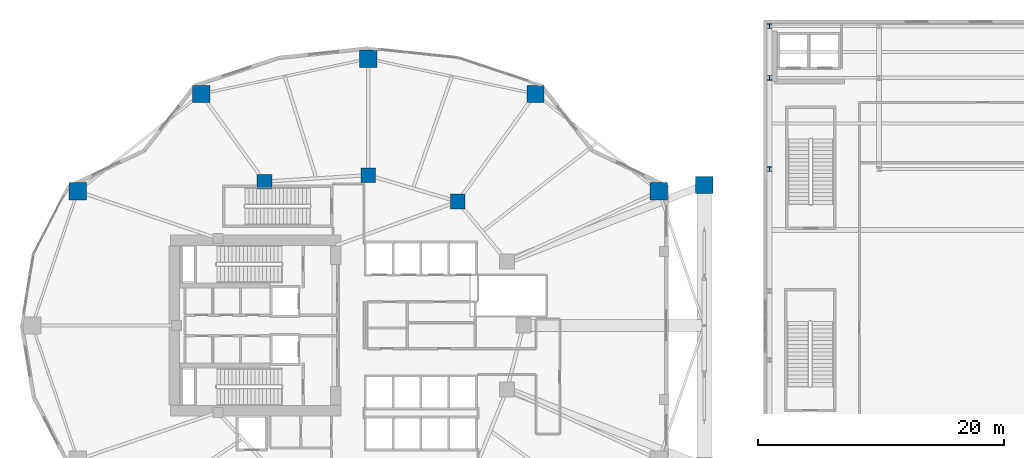
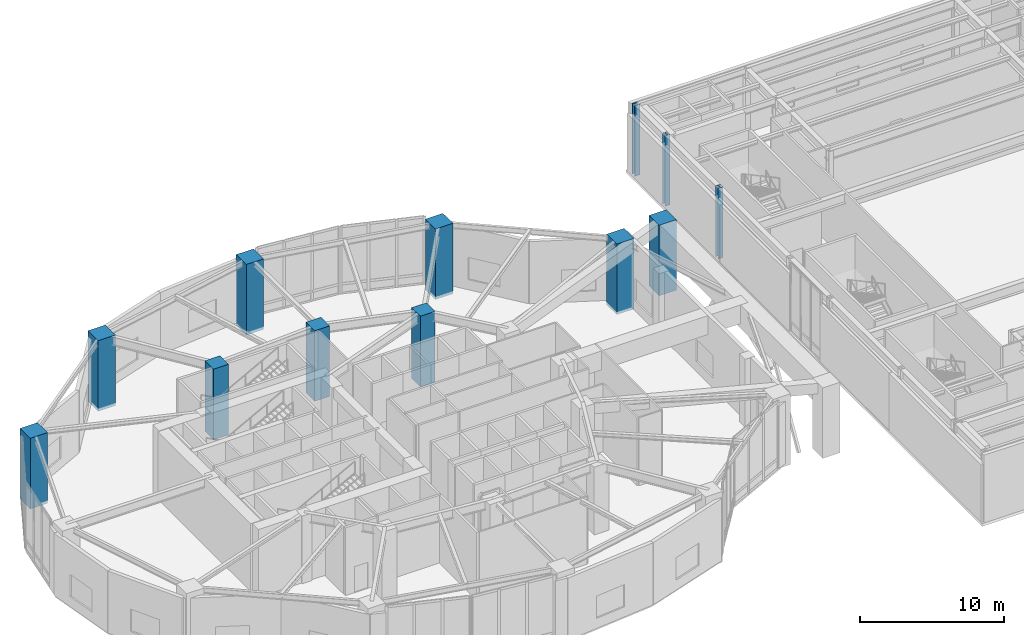
# One storey, part 3 of 25: 12 columns.
"""IFC4 building model written with IfcOpenShell, lengths in metres."""

from ifc_helpers import new_model, si_unit, direction, frame, origin, origin_2d, place, context, subcontext, project, spatial, rectangle, i_section, extrude, material, material_profile, profile_set, type_object, element, save


model = new_model("IFC4")

# Units and contexts
model_context = context("Model", 3, precision=1e-05, world=origin(), true_north=direction((0.0, 1.0)))
body_context = subcontext(model_context, "Body", "Model", "MODEL_VIEW")
ifc_project = project(units=[si_unit("LENGTHUNIT", "METRE"), si_unit("AREAUNIT", "SQUARE_METRE"), si_unit("VOLUMEUNIT", "CUBIC_METRE"), si_unit("PLANEANGLEUNIT", "RADIAN"), si_unit("MASSUNIT", "GRAM", prefix="KILO")], contexts=[model_context])

# Site, building, storey
site_placement = place(None, origin())
site = spatial("IfcSite", under=ifc_project, at=site_placement, CompositionType="ELEMENT")
building_placement = place(site_placement, origin())
building = spatial("IfcBuilding", under=site, at=building_placement, Name="Kolvaren Gate Tower and Convention Centre", CompositionType="ELEMENT")
storey_placement = place(building_placement, frame((0.0, 0.0, 15.0)))
storey = spatial("IfcBuildingStorey", under=building, at=storey_placement, Name="L03", CompositionType="ELEMENT", Elevation=15.0)

# Columns
ifc_material_1 = material(Name="Concrete C70/85", Category="concrete")
ifc_material_profile_1 = material_profile(ifc_material_1, rectangle(XDim=1.199951171875, YDim=1.199951171875, at=origin_2d()), Name="RC-COL-1200X1200")
ifc_profile_set_1 = profile_set([ifc_material_profile_1], Name="Concrete C70/85")
column_type_1 = type_object("IfcColumnType", Name="STR-COL-RC1200", PredefinedType="COLUMN", material=ifc_profile_set_1)
for number, where, z_axis, x_axis, name in (
    (1, (37.381591796875, 37.054931640625, -0.239990234375), (0.0, 0.0, 1.0), (1.0, 0.0, 0.0), "Tower L03 Interior Column TI-03"),
    (2, (30.125, 39.199951171875, -0.239990234375), (0.0, 0.0, 1.0), (1.0, 0.0, 0.0), "Tower L03 Interior Column TI-04"),
    (3, (21.697998046875, 38.6767578125, -0.239990234375), (0.0, 0.0, 1.0), (1.0, 0.0, 0.0), "Tower L03 Interior Column TI-05"),
):
    element("IfcColumn", number, at=place(storey_placement, frame(where, z_axis=z_axis, x_axis=x_axis)), inside=storey, type_object=column_type_1, Name=name, PredefinedType="COLUMN", context=body_context, shape_type="SweptSolid", body=[
        extrude(rectangle(XDim=1.199951171875, YDim=1.199951171875, at=origin_2d()), origin(), (0.0, 0.0, 1.0), 6.0),
    ])
ifc_material_profile_2 = material_profile(ifc_material_1, rectangle(XDim=1.39990234375, YDim=1.39990234375, at=origin_2d()), Name="RC-COL-1400X1400")
ifc_profile_set_2 = profile_set([ifc_material_profile_2], Name="Concrete C70/85")
column_type_2 = type_object("IfcColumnType", Name="STR-COL-RC1400", PredefinedType="COLUMN", material=ifc_profile_set_2)
for number, where, z_axis, x_axis, name in (
    (4, (53.710205078125, 37.8935546875, -0.239990234375), (0.0, 0.0, 1.0), (1.0, 0.0, 0.0), "Tower L03 Perimeter Supercolumn TP-02"),
    (5, (43.690185546875, 45.79638671875, -0.239990234375), (0.0, 0.0, 1.0), (1.0, 0.0, 0.0), "Tower L03 Perimeter Supercolumn TP-03"),
    (6, (30.125, 48.64990234375, -0.239990234375), (0.0, 0.0, 1.0), (1.0, 0.0, 0.0), "Tower L03 Perimeter Supercolumn TP-04"),
    (7, (16.559814453125, 45.79638671875, -0.239990234375), (0.0, 0.0, 1.0), (1.0, 0.0, 0.0), "Tower L03 Perimeter Supercolumn TP-05"),
    (8, (6.539794921875, 37.8935546875, -0.239990234375), (0.0, 0.0, 1.0), (1.0, 0.0, 0.0), "Tower L03 Perimeter Supercolumn TP-06"),
    (9, (57.39990234375, 38.39990234375, -0.239990234375), (0.0, 0.0, 1.0), (1.0, 0.0, 0.0), "Monumental Arch Skewback Pier AP-2 (L03)"),
):
    element("IfcColumn", number, at=place(storey_placement, frame(where, z_axis=z_axis, x_axis=x_axis)), inside=storey, type_object=column_type_2, Name=name, PredefinedType="COLUMN", context=body_context, shape_type="SweptSolid", body=[
        extrude(rectangle(XDim=1.39990234375, YDim=1.39990234375, at=origin_2d()), origin(), (0.0, 0.0, 1.0), 6.0),
    ])
ifc_material_2 = material(Name="Structural steel ASTM A992 Grade 345 MPa", Category="steel")
ifc_material_profile_3 = material_profile(ifc_material_2, i_section(OverallWidth=0.39501953125, OverallDepth=0.3798828125, WebThickness=0.018798828125, FlangeThickness=0.0302734375, at=origin_2d()), Name="W360X237")
ifc_profile_set_3 = profile_set([ifc_material_profile_3], Name="Structural steel ASTM A992 Grade 345 MPa")
column_type_3 = type_object("IfcColumnType", Name="STR-COL-W360X237", PredefinedType="COLUMN", material=ifc_profile_set_3)
for number, where, z_axis, x_axis, name in (
    (10, (62.699951171875, 39.699951171875, -0.239990234375), (0.0, 0.0, 1.0), (1.0, 0.0, 0.0), "Convention L03 Column CC-16"),
    (11, (62.699951171875, 47.10009765625, -0.239990234375), (0.0, 0.0, 1.0), (1.0, 0.0, 0.0), "Convention L03 Column CC-17"),
    (12, (62.699951171875, 51.300048828125, -0.239990234375), (0.0, 0.0, 1.0), (1.0, 0.0, 0.0), "Convention L03 Column CC-18"),
):
    element("IfcColumn", number, at=place(storey_placement, frame(where, z_axis=z_axis, x_axis=x_axis)), inside=storey, type_object=column_type_3, Name=name, PredefinedType="COLUMN", context=body_context, shape_type="SweptSolid", body=[
        extrude(i_section(OverallWidth=0.39501953125, OverallDepth=0.3798828125, WebThickness=0.018798828125, FlangeThickness=0.0302734375, at=origin_2d()), origin(), (0.0, 0.0, 1.0), 6.0),
    ])

save(model, "model.ifc")
